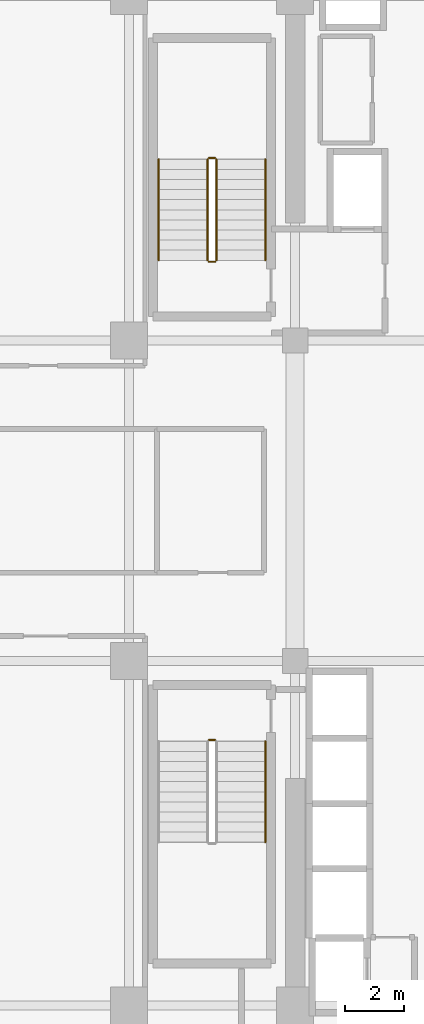
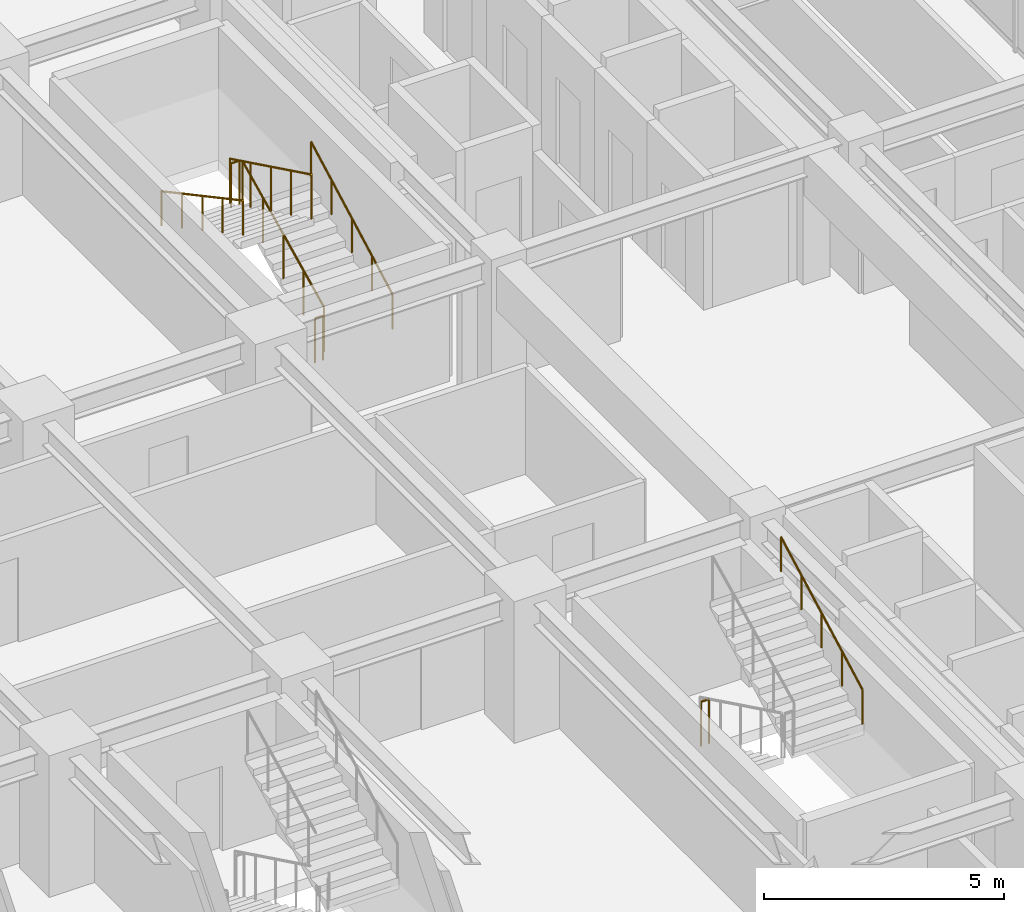
# One storey, part 31 of 32: 8 railings.
"""IFC4 building model written with IfcOpenShell, lengths in metres."""

import ifcopenshell
import ifcopenshell.guid

model = None  # the IFC model being written
_history = None  # IfcOwnerHistory: only IFC2X3 demands one
_inside = {}  # id of a spatial element -> (the spatial element, [elements in it])
_under = {}  # id of a project, library or spatial element -> (it, [spatial elements below it])
_declared = {}  # id of a project -> (the project, [libraries it declares])
_typed = {}  # id of a type object -> (the type object, [elements of that type])
_made_of = {}  # id of a material, layer set ... -> (it, [elements and type objects made of it])


def new_model(schema):
    """Start an empty IFC model of exactly this schema.

    Asked for "IFC4X3", IfcOpenShell would pick the latest addendum, in which some entities
    have other attributes; the version numbers below select the first issue.
    IFC2X3 requires an IfcOwnerHistory on every rooted entity: one is made here for all.
    """
    global model, _history
    if schema == "IFC4X3":
        model = ifcopenshell.file(schema_version=(4, 3, 0, 0))
    else:
        model = ifcopenshell.file(schema=schema)
    _inside.clear()
    _under.clear()
    _declared.clear()
    _typed.clear()
    _made_of.clear()
    _history = None
    if model.schema == "IFC2X3":
        org = make("IfcOrganization", Name="unknown")
        user = make(
            "IfcPersonAndOrganization",
            ThePerson=make("IfcPerson", FamilyName="unknown"),
            TheOrganization=org,
        )
        app = make(
            "IfcApplication",
            ApplicationDeveloper=org,
            Version="unknown",
            ApplicationFullName="unknown",
            ApplicationIdentifier="unknown",
        )
        _history = make(
            "IfcOwnerHistory",
            OwningUser=user,
            OwningApplication=app,
            ChangeAction="ADDED",
            CreationDate=0,
        )
    return model


def make(cls, **values):
    """One entity of the class cls with the attributes given. An attribute that is None is left unset."""
    return model.create_entity(
        cls, **{name: value for name, value in values.items() if value is not None}
    )


def rooted(cls, **values):
    """An entity with a GlobalId (a new one), such as an element, a storey or a relation."""
    return make(cls, GlobalId=ifcopenshell.guid.new(), OwnerHistory=_history, **values)


def si_unit(unit_type, name, prefix=None):
    """IfcSIUnit, for example si_unit("LENGTHUNIT", "METRE", prefix="MILLI")."""
    return make("IfcSIUnit", UnitType=unit_type, Prefix=prefix, Name=name)


def assignment(units):
    """IfcUnitAssignment: the units of a project."""
    return None if units is None else make("IfcUnitAssignment", Units=units)


def point(xyz):
    """IfcCartesianPoint."""
    return None if xyz is None else make("IfcCartesianPoint", Coordinates=xyz)


def direction(xyz):
    """IfcDirection."""
    return None if xyz is None else make("IfcDirection", DirectionRatios=xyz)


def frame(location, z_axis=None, x_axis=None):
    """IfcAxis2Placement3D, a coordinate frame: its origin and axes. An axis left out is left unset."""
    return make(
        "IfcAxis2Placement3D",
        Location=point(location),
        Axis=direction(z_axis),
        RefDirection=direction(x_axis),
    )


def frame_2d(location, x_axis=None):
    """IfcAxis2Placement2D, a coordinate frame in the plane: its origin and x axis."""
    return make(
        "IfcAxis2Placement2D", Location=point(location), RefDirection=direction(x_axis)
    )


def origin():
    """The frame at (0, 0, 0) with its axes left unset."""
    return frame((0.0, 0.0, 0.0))


def origin_2d():
    """The frame at (0, 0) in the plane with its x axis left unset."""
    return frame_2d((0.0, 0.0))


def place(relative_to, where):
    """IfcLocalPlacement: puts the frame where relative to a parent placement (None: the world)."""
    return make(
        "IfcLocalPlacement", PlacementRelTo=relative_to, RelativePlacement=where
    )


def context(
    kind, dimensions, precision=None, world=None, true_north=None, identifier=None
):
    """IfcGeometricRepresentationContext, for example the 3D "Model" context."""
    return make(
        "IfcGeometricRepresentationContext",
        ContextIdentifier=identifier,
        ContextType=kind,
        CoordinateSpaceDimension=dimensions,
        Precision=precision,
        WorldCoordinateSystem=world,
        TrueNorth=true_north,
    )


def subcontext(parent, identifier, kind, view, scale=None):
    """IfcGeometricRepresentationSubContext, for example "Body" below "Model"."""
    return make(
        "IfcGeometricRepresentationSubContext",
        ContextIdentifier=identifier,
        ContextType=kind,
        ParentContext=parent,
        TargetScale=scale,
        TargetView=view,
    )


def project(units=None, contexts=None):
    """IfcProject with its units and contexts."""
    return rooted(
        "IfcProject",
        Name="project",
        RepresentationContexts=contexts,
        UnitsInContext=assignment(units),
    )


def spatial(cls, under=None, at=None, **own):
    """A site, building, storey or space (cls), placed at a placement, below another one or the project."""
    s = rooted(cls, ObjectPlacement=at, **own)
    if under is not None:
        _under.setdefault(under.id(), (under, []))[1].append(s)
    return s


def profile(cls, at=None, kind="AREA", **sizes):
    """A parametric profile (cls). Its sizes go by their IFC names, for example OverallWidth=200.0."""
    return make(cls, ProfileType=kind, Position=at, **sizes)


def circle(**sizes):
    """IfcCircleProfileDef."""
    return profile("IfcCircleProfileDef", **sizes)


def extrude(swept, where, along, depth):
    """IfcExtrudedAreaSolid: the profile swept, set in the frame where, extruded along a direction by depth."""
    return make(
        "IfcExtrudedAreaSolid",
        SweptArea=swept,
        Position=where,
        ExtrudedDirection=direction(along),
        Depth=depth,
    )


def shape(context_of_items, identifier, shape_type, items):
    """IfcShapeRepresentation: the items that make up one representation, for example the "Body"."""
    return make(
        "IfcShapeRepresentation",
        ContextOfItems=context_of_items,
        RepresentationIdentifier=identifier,
        RepresentationType=shape_type,
        Items=items,
    )


def material(Name=None, Category=None):
    """IfcMaterial."""
    return make("IfcMaterial", Name=Name, Category=Category)


def made_of(thing, what):
    """Note that an element or type object is made of a material, layer set ...; save() writes the relation."""
    if what is not None:
        _made_of.setdefault(what.id(), (what, []))[1].append(thing)
    return thing


def type_object(cls, material=None, **own):
    """A type object (cls), such as IfcWallType, which elements share."""
    return made_of(rooted(cls, **own), material)


def element(
    cls,
    number,
    at=None,
    inside=None,
    cuts=None,
    type_object=None,
    material=None,
    context=None,
    identifier="Body",
    shape_type=None,
    held_by="IfcProductDefinitionShape",
    body=None,
    shapes=None,
    **own,
):
    """One element of the class cls, such as IfcWall. Its Tag is "e" and its number.

    at: its placement. inside: the storey or other place that contains it. cuts: it is an
    opening in that element (IfcRelVoidsElement). A single representation is given by context,
    identifier, shape_type and body (its items); several are given by shapes. held_by: the class
    of the entity that holds the representations. save() writes the other relations.
    """
    e = rooted(cls, Tag="e%d" % number, ObjectPlacement=at, **own)
    if body is not None:
        shapes = [shape(context, identifier, shape_type, body)]
    if shapes is not None:
        e.Representation = make(held_by, Representations=shapes)
    if inside is not None:
        _inside.setdefault(inside.id(), (inside, []))[1].append(e)
    if cuts is not None:
        rooted(
            "IfcRelVoidsElement", RelatingBuildingElement=cuts, RelatedOpeningElement=e
        )
    if type_object is not None:
        _typed.setdefault(type_object.id(), (type_object, []))[1].append(e)
    return made_of(e, material)


def aggregate(whole, parts):
    """IfcRelAggregates: a whole, such as a stair, and the parts it consists of."""
    return rooted("IfcRelAggregates", RelatingObject=whole, RelatedObjects=parts)


def save(model, path):
    """Write the relations noted so far, then the file.

    IfcRelAggregates (storeys below a building ...), IfcRelContainedInSpatialStructure (elements
    in a storey), IfcRelDefinesByType, IfcRelAssociatesMaterial and IfcRelDeclares: one each for
    every whole, place, type object, material and project.
    """
    for whole, parts in _under.values():
        aggregate(whole, parts)
    for where, things in _inside.values():
        rooted(
            "IfcRelContainedInSpatialStructure",
            RelatedElements=things,
            RelatingStructure=where,
        )
    for kind, things in _typed.values():
        rooted("IfcRelDefinesByType", RelatedObjects=things, RelatingType=kind)
    for what, things in _made_of.values():
        rooted("IfcRelAssociatesMaterial", RelatedObjects=things, RelatingMaterial=what)
    for by, libraries in _declared.values():
        rooted("IfcRelDeclares", RelatingContext=by, RelatedDefinitions=libraries)
    model.write(path)


model = new_model("IFC4")

# Units and contexts
model_context = context("Model", 3, precision=1e-05, world=origin(), true_north=direction((0.0, 1.0)))
body_context = subcontext(model_context, "Body", "Model", "MODEL_VIEW")
ifc_project = project(units=[si_unit("LENGTHUNIT", "METRE"), si_unit("AREAUNIT", "SQUARE_METRE"), si_unit("VOLUMEUNIT", "CUBIC_METRE"), si_unit("PLANEANGLEUNIT", "RADIAN"), si_unit("MASSUNIT", "GRAM", prefix="KILO")], contexts=[model_context])

# Site, building, storey
site_placement = place(None, origin())
site = spatial("IfcSite", under=ifc_project, at=site_placement, CompositionType="ELEMENT")
building_placement = place(site_placement, origin())
building = spatial("IfcBuilding", under=site, at=building_placement, Name="Nahalor Promenade Grand Hotel", CompositionType="ELEMENT")
storey_placement = place(building_placement, frame((0.0, 0.0, 124.800048828125)))
storey = spatial("IfcBuildingStorey", under=building, at=storey_placement, Name="L31", CompositionType="ELEMENT", Elevation=124.800048828125)

# Railings
ifc_material = material(Name="Steel S355JR", Category="steel")
railing_type_1 = type_object("IfcRailingType", Name="Steel Stair Guardrail 1150 mm", PredefinedType="GUARDRAIL", material=ifc_material)
railing_1_placement = place(storey_placement, frame((5.75, 8.10009765625, 0.165771484375)))
element("IfcRailing", 1, at=railing_1_placement, inside=storey, type_object=railing_type_1, Name="L31 ST1 stair guard 1", PredefinedType="GUARDRAIL", context=body_context, shape_type="SweptSolid", body=[
    extrude(circle(Radius=0.024048, at=origin_2d()), frame((0.0, 0.0, 1.1259765625), z_axis=(0.0, 0.898696488221, 0.438571114028), x_axis=(-1.0, 0.0, 0.0)), (0.0, 0.0, 1.0), 3.783203125),
    extrude(circle(Radius=0.020996, at=origin_2d()), origin(), (0.0, 0.0, 1.0), 1.099853515625),
    extrude(circle(Radius=0.020996, at=origin_2d()), frame((0.0, 0.85009765625, 0.414794921875)), (0.0, 0.0, 1.0), 1.099853515625),
    extrude(circle(Radius=0.020996, at=origin_2d()), frame((0.0, 1.699951171875, 0.82958984375)), (0.0, 0.0, 1.0), 1.099853515625),
    extrude(circle(Radius=0.020996, at=origin_2d()), frame((0.0, 2.5498046875, 1.244384765625)), (0.0, 0.0, 1.0), 1.099853515625),
    extrude(circle(Radius=0.020996, at=origin_2d()), frame((0.0, 3.39990234375, 1.6591796875)), (0.0, 0.0, 1.0), 1.099853515625),
])
railing_2_placement = place(storey_placement, frame((5.699951171875, 11.550048828125, 1.824951171875)))
element("IfcRailing", 2, at=railing_2_placement, inside=storey, type_object=railing_type_1, Name="L31 ST1 stair guard 2", PredefinedType="GUARDRAIL", context=body_context, shape_type="SweptSolid", body=[
    extrude(circle(Radius=0.024048, at=origin_2d()), frame((0.0, 0.0, 1.1259765625), z_axis=(-1.0, 0.0, 0.0), x_axis=(0.0, -1.0, 0.0)), (0.0, 0.0, 1.0), 0.199951171875),
    extrude(circle(Radius=0.020996, at=origin_2d()), origin(), (0.0, 0.0, 1.0), 1.099853515625),
    extrude(circle(Radius=0.020996, at=origin_2d()), frame((-0.199951171875, 0.0, 0.0)), (0.0, 0.0, 1.0), 1.099853515625),
])
railing_3_placement = place(storey_placement, frame((5.449951171875, 11.5, 1.990966796875)))
element("IfcRailing", 3, at=railing_3_placement, inside=storey, type_object=railing_type_1, Name="L31 ST1 stair guard 3", PredefinedType="GUARDRAIL", context=body_context, shape_type="SweptSolid", body=[
    extrude(circle(Radius=0.024048, at=origin_2d()), frame((0.0, 0.0, 1.1259765625), z_axis=(0.0, -0.898721922897, 0.438518990814), x_axis=(1.0, 0.0, 0.0)), (0.0, 0.0, 1.0), 3.782958984375),
    extrude(circle(Radius=0.020996, at=origin_2d()), origin(), (0.0, 0.0, 1.0), 1.099853515625),
    extrude(circle(Radius=0.020996, at=origin_2d()), frame((0.0, -0.85009765625, 0.414794921875)), (0.0, 0.0, 1.0), 1.099853515625),
    extrude(circle(Radius=0.020996, at=origin_2d()), frame((0.0, -1.699951171875, 0.82958984375)), (0.0, 0.0, 1.0), 1.099853515625),
    extrude(circle(Radius=0.020996, at=origin_2d()), frame((0.0, -2.5498046875, 1.244140625)), (0.0, 0.0, 1.0), 1.099853515625),
    extrude(circle(Radius=0.020996, at=origin_2d()), frame((0.0, -3.39990234375, 1.658935546875)), (0.0, 0.0, 1.0), 1.099853515625),
])
railing_4_placement = place(storey_placement, frame((5.699951171875, 8.050048828125, 0.0)))
element("IfcRailing", 4, at=railing_4_placement, inside=storey, type_object=railing_type_1, Name="L31 ST1 stair guard 4", PredefinedType="GUARDRAIL", context=body_context, shape_type="SweptSolid", body=[
    extrude(circle(Radius=0.024048, at=origin_2d()), frame((0.0, 0.0, 1.1259765625), z_axis=(-1.0, 0.0, 0.0), x_axis=(0.0, -1.0, 0.0)), (0.0, 0.0, 1.0), 0.199951171875),
    extrude(circle(Radius=0.020996, at=origin_2d()), origin(), (0.0, 0.0, 1.0), 1.099853515625),
    extrude(circle(Radius=0.020996, at=origin_2d()), frame((-0.199951171875, 0.0, 0.0)), (0.0, 0.0, 1.0), 1.099853515625),
])
railing_5_placement = place(storey_placement, frame((5.5, -8.050048828125, 0.0)))
element("IfcRailing", 5, at=railing_5_placement, inside=storey, type_object=railing_type_1, Name="L31 ST2 stair guard 4", PredefinedType="GUARDRAIL", context=body_context, shape_type="SweptSolid", body=[
    extrude(circle(Radius=0.024048, at=origin_2d()), frame((0.0, 0.0, 1.1259765625), z_axis=(1.0, 0.0, 0.0), x_axis=(0.0, 1.0, 0.0)), (0.0, 0.0, 1.0), 0.199951171875),
    extrude(circle(Radius=0.020996, at=origin_2d()), origin(), (0.0, 0.0, 1.0), 1.099853515625),
    extrude(circle(Radius=0.020996, at=origin_2d()), frame((0.199951171875, 0.0, 0.0)), (0.0, 0.0, 1.0), 1.099853515625),
])
railing_type_2 = type_object("IfcRailingType", Name="Steel Stair Handrail 900 mm", PredefinedType="HANDRAIL", material=ifc_material)
railing_6_placement = place(storey_placement, frame((7.39990234375, 8.10009765625, 0.165771484375)))
element("IfcRailing", 6, at=railing_6_placement, inside=storey, type_object=railing_type_2, Name="L31 ST1 stair handrail 1", PredefinedType="HANDRAIL", context=body_context, shape_type="SweptSolid", body=[
    extrude(circle(Radius=0.024048, at=origin_2d()), frame((0.0, 0.0, 0.8759765625), z_axis=(0.0, 0.881067672671, 0.472990228413), x_axis=(-1.0, 0.0, 0.0)), (0.0, 0.0, 1.0), 3.85888671875),
    extrude(circle(Radius=0.020996, at=origin_2d()), origin(), (0.0, 0.0, 1.0), 0.849853515625),
    extrude(circle(Radius=0.020996, at=origin_2d()), frame((0.0, 0.85009765625, 0.456298828125)), (0.0, 0.0, 1.0), 0.849853515625),
    extrude(circle(Radius=0.020996, at=origin_2d()), frame((0.0, 1.699951171875, 0.91259765625)), (0.0, 0.0, 1.0), 0.849853515625),
    extrude(circle(Radius=0.020996, at=origin_2d()), frame((0.0, 2.5498046875, 1.368896484375)), (0.0, 0.0, 1.0), 0.849853515625),
    extrude(circle(Radius=0.020996, at=origin_2d()), frame((0.0, 3.39990234375, 1.8251953125)), (0.0, 0.0, 1.0), 0.849853515625),
])
railing_7_placement = place(storey_placement, frame((3.800048828125, 11.5, 1.990966796875)))
element("IfcRailing", 7, at=railing_7_placement, inside=storey, type_object=railing_type_2, Name="L31 ST1 stair handrail 2", PredefinedType="HANDRAIL", context=body_context, shape_type="SweptSolid", body=[
    extrude(circle(Radius=0.024048, at=origin_2d()), frame((0.0, 0.0, 0.8759765625), z_axis=(0.0, -0.881094038095, 0.47294111265), x_axis=(1.0, 0.0, 0.0)), (0.0, 0.0, 1.0), 3.858642578125),
    extrude(circle(Radius=0.020996, at=origin_2d()), origin(), (0.0, 0.0, 1.0), 0.849853515625),
    extrude(circle(Radius=0.020996, at=origin_2d()), frame((0.0, -0.85009765625, 0.456298828125)), (0.0, 0.0, 1.0), 0.849853515625),
    extrude(circle(Radius=0.020996, at=origin_2d()), frame((0.0, -1.699951171875, 0.91259765625)), (0.0, 0.0, 1.0), 0.849853515625),
    extrude(circle(Radius=0.020996, at=origin_2d()), frame((0.0, -2.5498046875, 1.36865234375)), (0.0, 0.0, 1.0), 0.849853515625),
    extrude(circle(Radius=0.020996, at=origin_2d()), frame((0.0, -3.39990234375, 1.824951171875)), (0.0, 0.0, 1.0), 0.849853515625),
])
railing_8_placement = place(storey_placement, frame((7.39990234375, -11.5, 1.990966796875)))
element("IfcRailing", 8, at=railing_8_placement, inside=storey, type_object=railing_type_2, Name="L31 ST2 stair handrail 2", PredefinedType="HANDRAIL", context=body_context, shape_type="SweptSolid", body=[
    extrude(circle(Radius=0.024048, at=origin_2d()), frame((0.0, 0.0, 0.8759765625), z_axis=(0.0, 0.881094038095, 0.47294111265), x_axis=(-1.0, 0.0, 0.0)), (0.0, 0.0, 1.0), 3.858642578125),
    extrude(circle(Radius=0.020996, at=origin_2d()), origin(), (0.0, 0.0, 1.0), 0.849853515625),
    extrude(circle(Radius=0.020996, at=origin_2d()), frame((0.0, 0.85009765625, 0.456298828125)), (0.0, 0.0, 1.0), 0.849853515625),
    extrude(circle(Radius=0.020996, at=origin_2d()), frame((0.0, 1.699951171875, 0.91259765625)), (0.0, 0.0, 1.0), 0.849853515625),
    extrude(circle(Radius=0.020996, at=origin_2d()), frame((0.0, 2.5498046875, 1.36865234375)), (0.0, 0.0, 1.0), 0.849853515625),
    extrude(circle(Radius=0.020996, at=origin_2d()), frame((0.0, 3.39990234375, 1.824951171875)), (0.0, 0.0, 1.0), 0.849853515625),
])

save(model, "model.ifc")
